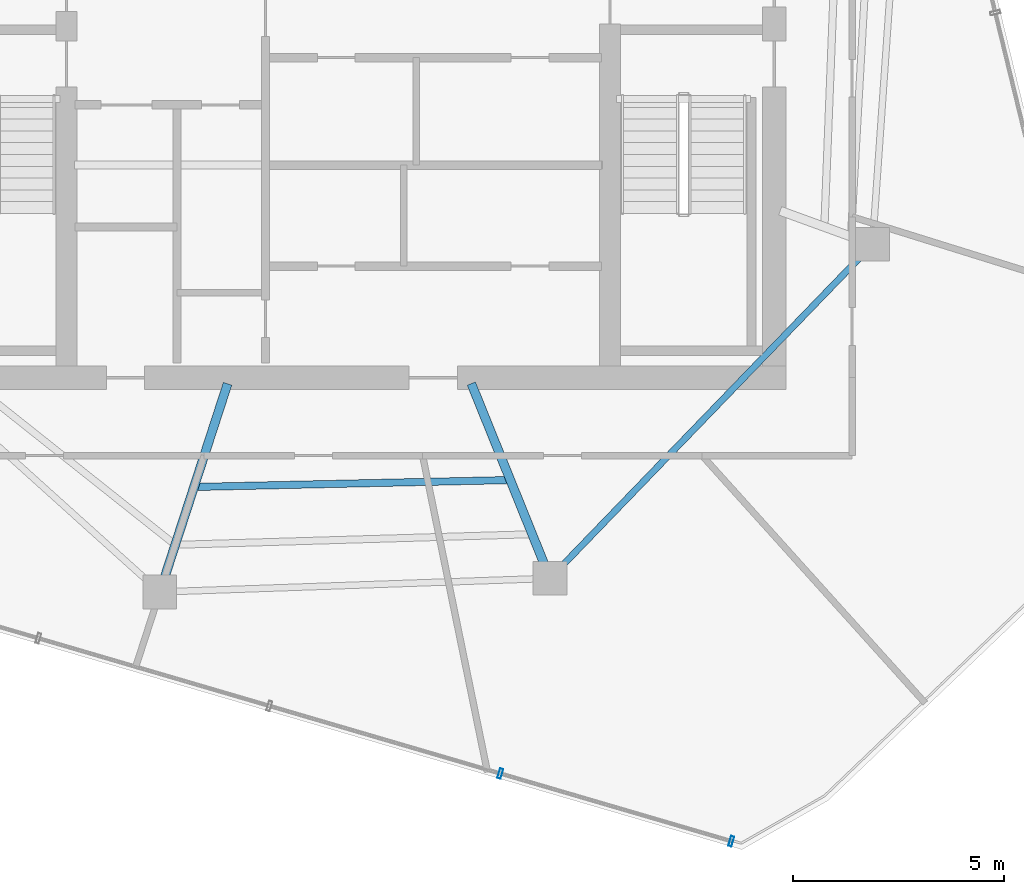
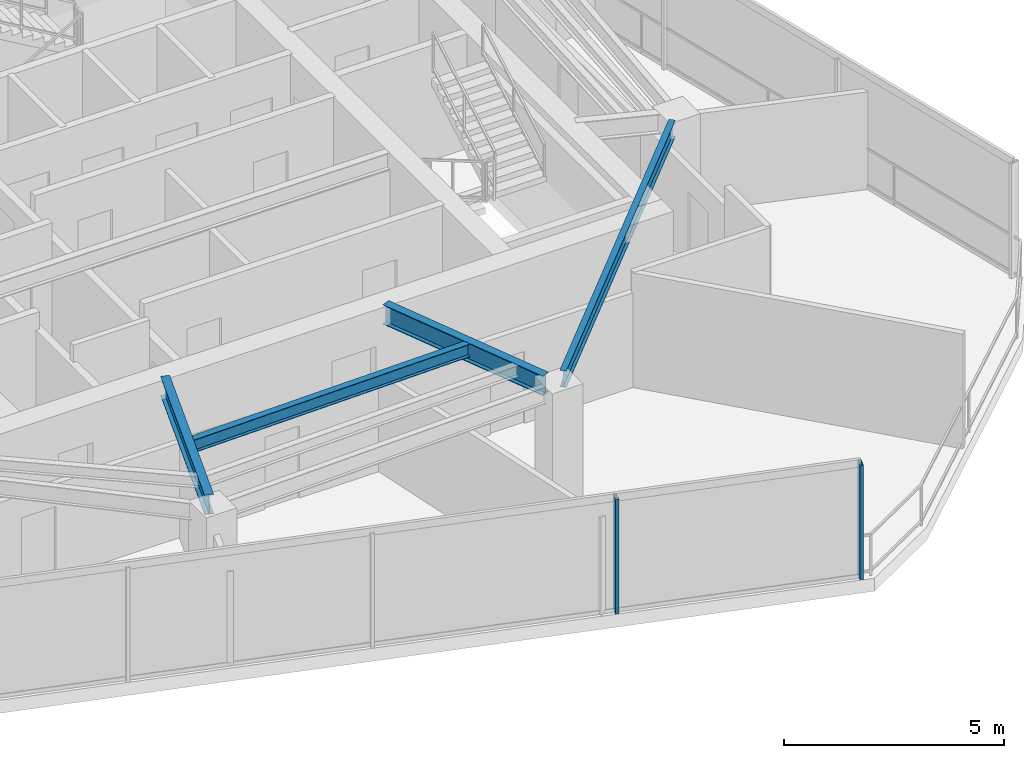
# One storey, part 4 of 19: 4 beams, 2 members, 1 element without a shape of its own.
"""IFC4 building model written with IfcOpenShell, lengths in metres."""

from ifc_helpers import new_model, si_unit, direction, frame, origin, origin_2d, place, context, subcontext, project, spatial, hollow_rectangle, i_section, extrude, material, layer, layer_set, material_profile, profile_set, type_object, element, aggregate, save


model = new_model("IFC4")

# Units and contexts
model_context = context("Model", 3, precision=1e-05, world=origin(), true_north=direction((0.0, 1.0)))
body_context = subcontext(model_context, "Body", "Model", "MODEL_VIEW")
ifc_project = project(units=[si_unit("LENGTHUNIT", "METRE"), si_unit("AREAUNIT", "SQUARE_METRE"), si_unit("VOLUMEUNIT", "CUBIC_METRE"), si_unit("PLANEANGLEUNIT", "RADIAN"), si_unit("MASSUNIT", "GRAM", prefix="KILO")], contexts=[model_context])

# Site, building, storey
site_placement = place(None, origin())
site = spatial("IfcSite", under=ifc_project, at=site_placement, CompositionType="ELEMENT")
building_placement = place(site_placement, origin())
building = spatial("IfcBuilding", under=site, at=building_placement, Name="Qarnah Convention Tower", CompositionType="ELEMENT")
storey_placement = place(building_placement, frame((0.0, 0.0, 231.89990234375)))
storey = spatial("IfcBuildingStorey", under=building, at=storey_placement, Name="L62", CompositionType="ELEMENT", Elevation=231.89990234375)

# Beams
ifc_material_1 = material(Name="Structural steel S355JR", Category="steel")
ifc_material_profile_1 = material_profile(ifc_material_1, i_section(OverallWidth=0.172119140625, OverallDepth=0.35595703125, WebThickness=0.007080078125, FlangeThickness=0.011962890625, at=origin_2d()), Name="W360X51")
ifc_profile_set_1 = profile_set([ifc_material_profile_1], Name="Structural steel S355JR")
beam_type_1 = type_object("IfcBeamType", Name="BM-JST-W360", PredefinedType="JOIST", material=ifc_profile_set_1)
beam_1_placement = place(storey_placement, frame((33.9130859375, 16.008056640625, 3.002197265625), z_axis=(0.999759189308, 0.021944552701, 0.0), x_axis=(-0.021944552701, 0.999759189308, 0.0)))
element("IfcBeam", 1, at=beam_1_placement, inside=storey, type_object=beam_type_1, Name="L62 joist BM-L62-IJST-07", PredefinedType="JOIST", context=body_context, shape_type="SweptSolid", body=[
    extrude(i_section(OverallWidth=0.172119140625, OverallDepth=0.35595703125, WebThickness=0.007080078125, FlangeThickness=0.011962890625, at=origin_2d()), origin(), (0.0, 0.0, 1.0), 7.33154296875),
])
ifc_material_profile_2 = material_profile(ifc_material_1, i_section(OverallWidth=0.2119140625, OverallDepth=0.5400390625, WebThickness=0.011962890625, FlangeThickness=0.01904296875, at=origin_2d()), Name="W530X109")
ifc_profile_set_2 = profile_set([ifc_material_profile_2], Name="Structural steel S355JR")
beam_type_2 = type_object("IfcBeamType", Name="BM-RAD-W530A", PredefinedType="BEAM", material=ifc_profile_set_2)
beam_2_placement = place(storey_placement, frame((34.6201171875, 18.45703125, 2.91015625), z_axis=(-0.309228111383, -0.950987894313, 0.0), x_axis=(0.950987894313, -0.309228111383, 0.0)))
element("IfcBeam", 2, at=beam_2_placement, inside=storey, type_object=beam_type_2, Name="L62 beam BM-L62-RAD-07", PredefinedType="BEAM", context=body_context, shape_type="SweptSolid", body=[
    extrude(i_section(OverallWidth=0.2119140625, OverallDepth=0.5400390625, WebThickness=0.011962890625, FlangeThickness=0.01904296875, at=origin_2d()), origin(), (0.0, 0.0, 1.0), 4.819091796875),
])
beam_3_placement = place(storey_placement, frame((40.407958984375, 18.4609375, 2.91015625), z_axis=(0.374622495532, -0.927177429536, 0.0), x_axis=(0.927177429536, 0.374622495532, 0.0)))
element("IfcBeam", 3, at=beam_3_placement, inside=storey, type_object=beam_type_2, Name="L62 beam BM-L62-RAD-08", PredefinedType="BEAM", context=body_context, shape_type="SweptSolid", body=[
    extrude(i_section(OverallWidth=0.2119140625, OverallDepth=0.5400390625, WebThickness=0.011962890625, FlangeThickness=0.01904296875, at=origin_2d()), origin(), (0.0, 0.0, 1.0), 4.607421875),
])
ifc_material_profile_3 = material_profile(ifc_material_1, i_section(OverallWidth=0.154052734375, OverallDepth=0.4599609375, WebThickness=0.009033203125, FlangeThickness=0.014892578125, at=origin_2d()), Name="W460X68")
ifc_profile_set_3 = profile_set([ifc_material_profile_3], Name="Structural steel S355JR")
beam_type_3 = type_object("IfcBeamType", Name="BM-SPN-W460B", PredefinedType="SPANDREL", material=ifc_profile_set_3)
beam_4_placement = place(storey_placement, frame((42.547119140625, 14.117919921875, 2.9501953125), z_axis=(0.694687671008, 0.719311503974, 0.0), x_axis=(-0.719311503974, 0.694687671008, 0.0)))
element("IfcBeam", 4, at=beam_4_placement, inside=storey, type_object=beam_type_3, Name="L62 spandrel BM-L62-SPN-08", PredefinedType="SPANDREL", context=body_context, shape_type="SweptSolid", body=[
    extrude(i_section(OverallWidth=0.154052734375, OverallDepth=0.4599609375, WebThickness=0.009033203125, FlangeThickness=0.014892578125, at=origin_2d()), origin(), (0.0, 0.0, 1.0), 10.241943359375),
])

# Curtain wall, members
ifc_material_2 = material(Name="Tempered Low-E dark glass", Category="glass")
ifc_layer = layer(ifc_material_2, 0.176025390625)
ifc_layer_set = layer_set([ifc_layer], Name="Tempered Low-E dark glass")
curtain_wall_type = type_object("IfcCurtainWallType", Name="CWS-05", PredefinedType="NOTDEFINED", material=ifc_layer_set)
curtain_wall_placement = place(storey_placement, origin())
curtain_wall = element("IfcCurtainWall", 5, at=curtain_wall_placement, inside=storey, type_object=curtain_wall_type, Name="L62 unitised curtain wall CW-L62-F2", PredefinedType="NOTDEFINED")
ifc_material_3 = material(Name="Black anodised aluminium", Category="aluminium")
ifc_material_profile_4 = material_profile(ifc_material_3, hollow_rectangle(XDim=0.080078125, YDim=0.239990234375, WallThickness=0.0048828125, at=origin_2d()), Name="MUL-80X240")
ifc_profile_set_4 = profile_set([ifc_material_profile_4], Name="Black anodised aluminium")
member_type = type_object("IfcMemberType", Name="MUL-T5", PredefinedType="MULLION", material=ifc_profile_set_4)
member_1_placement = place(storey_placement, frame((46.580078125, 7.594970703125, 0.0), z_axis=(0.0, 0.0, 1.0), x_axis=(-0.959696432699, 0.28103871097, 0.0)))
member_1 = element("IfcMember", 6, at=member_1_placement, type_object=member_type, Name="CW-L62-F2 mullion 1", PredefinedType="MULLION", context=body_context, shape_type="SweptSolid", body=[
    extrude(hollow_rectangle(XDim=0.080078125, YDim=0.239990234375, WallThickness=0.0048828125, at=origin_2d()), origin(), (0.0, 0.0, 1.0), 3.18017578125),
])
member_2_placement = place(storey_placement, frame((41.095703125, 9.200927734375, 0.0), z_axis=(0.0, 0.0, 1.0), x_axis=(-0.959696432699, 0.28103871097, 0.0)))
member_2 = element("IfcMember", 7, at=member_2_placement, type_object=member_type, Name="CW-L62-F2 mullion 2", PredefinedType="MULLION", context=body_context, shape_type="SweptSolid", body=[
    extrude(hollow_rectangle(XDim=0.080078125, YDim=0.239990234375, WallThickness=0.0048828125, at=origin_2d()), origin(), (0.0, 0.0, 1.0), 3.18017578125),
])
aggregate(curtain_wall, [member_1, member_2])

save(model, "model.ifc")
